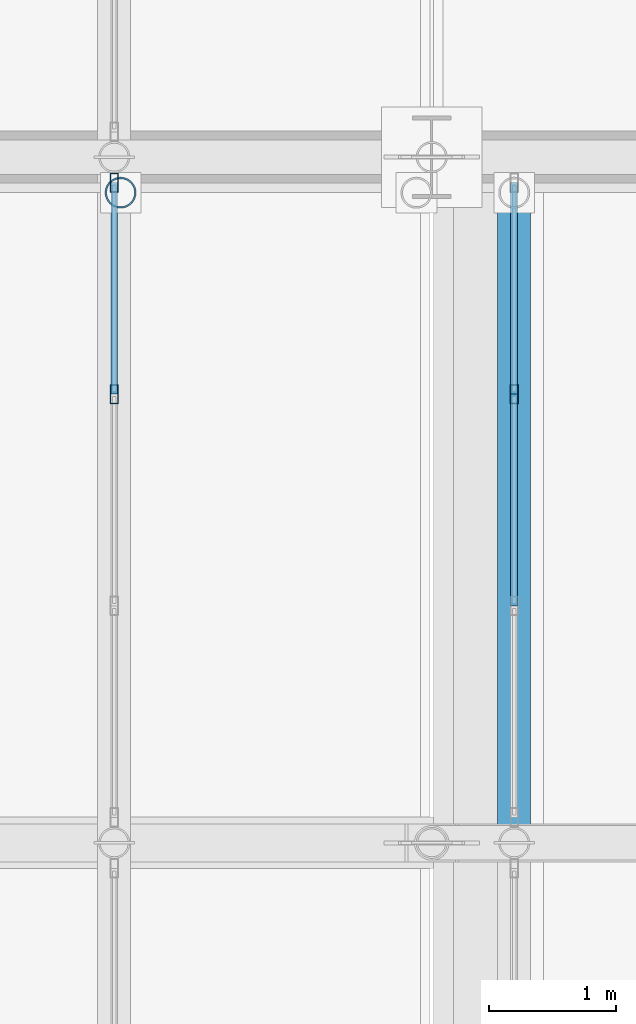
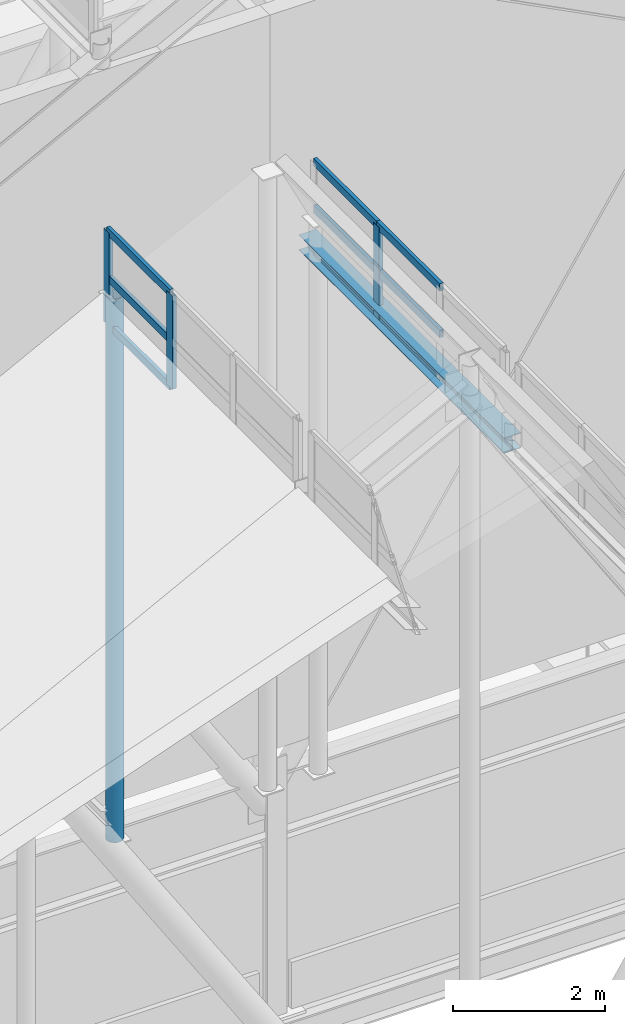
# One storey, part 26 of 84: 13 members, 1 beam, 2 elements without a shape of their own.
"""IFC4 building model written with IfcOpenShell, lengths in metres."""

from ifc_helpers import new_model, si_unit, direction, frame, origin, origin_2d, place, context, subcontext, project, spatial, hollow_rectangle, hollow_circle, i_section, extrude, material, layer, layer_set, material_profile, profile_set, type_object, element, aggregate, save


model = new_model("IFC4")

# Units and contexts
model_context = context("Model", 3, precision=1e-05, world=origin(), true_north=direction((0.0, 1.0)))
body_context = subcontext(model_context, "Body", "Model", "MODEL_VIEW")
ifc_project = project(units=[si_unit("LENGTHUNIT", "METRE"), si_unit("AREAUNIT", "SQUARE_METRE"), si_unit("VOLUMEUNIT", "CUBIC_METRE"), si_unit("PLANEANGLEUNIT", "RADIAN"), si_unit("MASSUNIT", "GRAM", prefix="KILO")], contexts=[model_context])

# Site, building, storey
site_placement = place(None, origin())
site = spatial("IfcSite", under=ifc_project, at=site_placement, CompositionType="ELEMENT")
building_placement = place(site_placement, origin())
building = spatial("IfcBuilding", under=site, at=building_placement, Name="Sundgate Opera House", CompositionType="ELEMENT")
storey_placement = place(building_placement, frame((0.0, 0.0, 30.60009765625)))
storey = spatial("IfcBuildingStorey", under=building, at=storey_placement, Name="L06", CompositionType="ELEMENT", Elevation=30.60009765625)

# Beam
ifc_material_1 = material(Name="Steel S355J2", Category="steel")
ifc_material_profile_1 = material_profile(ifc_material_1, i_section(OverallWidth=0.260009765625, OverallDepth=0.25, WebThickness=0.007568359375, FlangeThickness=0.012451171875, at=origin_2d()), Name="HEA 260")
ifc_profile_set_1 = profile_set([ifc_material_profile_1], Name="Steel S355J2")
beam_type = type_object("IfcBeamType", Name="BM-LN-HEA260", PredefinedType="LINTEL", material=ifc_profile_set_1)
beam_placement = place(storey_placement, frame((54.64990234375, 54.60009765625, 12.119873046875), z_axis=(0.0, 1.0, 0.0), x_axis=(-1.0, 0.0, 0.0)))
element("IfcBeam", 1, at=beam_placement, inside=storey, type_object=beam_type, Name="L06 Crown Clerestory Curb Beam BS031", PredefinedType="LINTEL", context=body_context, shape_type="SweptSolid", body=[
    extrude(i_section(OverallWidth=0.260009765625, OverallDepth=0.25, WebThickness=0.007568359375, FlangeThickness=0.012451171875, at=origin_2d()), origin(), (0.0, 0.0, 1.0), 5.39990234375),
])

# Curtain wall, members
ifc_material_2 = material(Name="Anodized aluminium and low-iron glass", Category="aluminium")
ifc_layer = layer(ifc_material_2, 0.169921875)
ifc_layer_set = layer_set([ifc_layer], Name="Anodized aluminium and low-iron glass")
curtain_wall_type = type_object("IfcCurtainWallType", Name="CW-LANTERN-POLY", PredefinedType="NOTDEFINED", material=ifc_layer_set)
curtain_wall_1_placement = place(storey_placement, origin())
curtain_wall_1 = element("IfcCurtainWall", 2, at=curtain_wall_1_placement, inside=storey, type_object=curtain_wall_type, Name="L06 Curtain Wall CW177", PredefinedType="NOTDEFINED")
ifc_material_3 = material(Name="Anodized aluminium EN AW-6063", Category="aluminium")
ifc_material_profile_2 = material_profile(ifc_material_3, hollow_rectangle(XDim=0.06005859375, YDim=0.14990234375, WallThickness=0.00390625, at=origin_2d()), Name="CWM 150x60x4")
ifc_profile_set_2 = profile_set([ifc_material_profile_2], Name="Anodized aluminium EN AW-6063")
member_type_1 = type_object("IfcMemberType", Name="CWM-ALU-150x60", PredefinedType="MULLION", material=ifc_profile_set_2)
member_1_placement = place(storey_placement, frame((51.5, 59.800048828125, 12.0), z_axis=(0.0, 0.0, 1.0), x_axis=(1.0, 0.0, 0.0)))
member_1 = element("IfcMember", 3, at=member_1_placement, type_object=member_type_1, Name="CW177 Mullion 1", PredefinedType="MULLION", context=body_context, shape_type="SweptSolid", body=[
    extrude(hollow_rectangle(XDim=0.06005859375, YDim=0.14990234375, WallThickness=0.00390625, at=origin_2d()), origin(), (0.0, 0.0, 1.0), 1.5),
])
member_2_placement = place(storey_placement, frame((51.5, 58.13330078125, 12.0), z_axis=(0.0, 0.0, 1.0), x_axis=(1.0, 0.0, 0.0)))
member_2 = element("IfcMember", 4, at=member_2_placement, type_object=member_type_1, Name="CW177 Mullion 2", PredefinedType="MULLION", context=body_context, shape_type="SweptSolid", body=[
    extrude(hollow_rectangle(XDim=0.06005859375, YDim=0.14990234375, WallThickness=0.00390625, at=origin_2d()), origin(), (0.0, 0.0, 1.0), 1.5),
])

# Curtain wall, member
curtain_wall_2_placement = place(storey_placement, origin())
curtain_wall_2 = element("IfcCurtainWall", 5, at=curtain_wall_2_placement, inside=storey, type_object=curtain_wall_type, Name="L06 Curtain Wall CW178", PredefinedType="NOTDEFINED")
member_3_placement = place(storey_placement, frame((54.64990234375, 58.13330078125, 12.0), z_axis=(0.0, 0.0, 1.0), x_axis=(1.0, 0.0, 0.0)))
member_3 = element("IfcMember", 6, at=member_3_placement, type_object=member_type_1, Name="CW178 Mullion 3", PredefinedType="MULLION", context=body_context, shape_type="SweptSolid", body=[
    extrude(hollow_rectangle(XDim=0.06005859375, YDim=0.14990234375, WallThickness=0.00390625, at=origin_2d()), origin(), (0.0, 0.0, 1.0), 1.5),
])

# Member
ifc_material_4 = material(Name="Anodized aluminium EN AW-6063", Category="aluminium")
ifc_material_profile_3 = material_profile(ifc_material_4, hollow_rectangle(XDim=0.054931640625, YDim=0.1201171875, WallThickness=0.00390625, at=origin_2d()), Name="CWT 120x55x4")
ifc_profile_set_3 = profile_set([ifc_material_profile_3], Name="Anodized aluminium EN AW-6063")
member_type_2 = type_object("IfcMemberType", Name="CWT-ALU-120x55", PredefinedType="USERDEFINED", material=ifc_profile_set_3)
member_4_placement = place(storey_placement, frame((51.5, 59.800048828125, 12.0), z_axis=(0.0, -1.0, 0.0), x_axis=(1.0, 0.0, 0.0)))
member_4 = element("IfcMember", 7, at=member_4_placement, type_object=member_type_2, Name="CW177 Transom 1", ObjectType="TRANSOM", PredefinedType="USERDEFINED", context=body_context, shape_type="SweptSolid", body=[
    extrude(hollow_rectangle(XDim=0.054931640625, YDim=0.1201171875, WallThickness=0.00390625, at=origin_2d()), origin(), (0.0, 0.0, 1.0), 1.666748046875),
])

member_5_placement = place(storey_placement, frame((51.5, 59.800048828125, 12.75), z_axis=(0.0, -1.0, 0.0), x_axis=(1.0, 0.0, 0.0)))
member_5 = element("IfcMember", 8, at=member_5_placement, type_object=member_type_2, Name="CW177 Transom 2", ObjectType="TRANSOM", PredefinedType="USERDEFINED", context=body_context, shape_type="SweptSolid", body=[
    extrude(hollow_rectangle(XDim=0.054931640625, YDim=0.1201171875, WallThickness=0.00390625, at=origin_2d()), origin(), (0.0, 0.0, 1.0), 1.666748046875),
])

member_6_placement = place(storey_placement, frame((51.5, 59.800048828125, 13.5), z_axis=(0.0, -1.0, 0.0), x_axis=(1.0, 0.0, 0.0)))
member_6 = element("IfcMember", 9, at=member_6_placement, type_object=member_type_2, Name="CW177 Transom 3", ObjectType="TRANSOM", PredefinedType="USERDEFINED", context=body_context, shape_type="SweptSolid", body=[
    extrude(hollow_rectangle(XDim=0.054931640625, YDim=0.1201171875, WallThickness=0.00390625, at=origin_2d()), origin(), (0.0, 0.0, 1.0), 1.666748046875),
])

aggregate(curtain_wall_1, [member_1, member_2, member_4, member_5, member_6])

member_7_placement = place(storey_placement, frame((54.64990234375, 56.466552734375, 12.0), z_axis=(0.0, 1.0, 0.0), x_axis=(-1.0, 0.0, 0.0)))
member_7 = element("IfcMember", 10, at=member_7_placement, type_object=member_type_2, Name="CW178 Transom 4", ObjectType="TRANSOM", PredefinedType="USERDEFINED", context=body_context, shape_type="SweptSolid", body=[
    extrude(hollow_rectangle(XDim=0.054931640625, YDim=0.1201171875, WallThickness=0.00390625, at=origin_2d()), origin(), (0.0, 0.0, 1.0), 1.666748046875),
])

member_8_placement = place(storey_placement, frame((54.64990234375, 56.466552734375, 12.75), z_axis=(0.0, 1.0, 0.0), x_axis=(-1.0, 0.0, 0.0)))
member_8 = element("IfcMember", 11, at=member_8_placement, type_object=member_type_2, Name="CW178 Transom 5", ObjectType="TRANSOM", PredefinedType="USERDEFINED", context=body_context, shape_type="SweptSolid", body=[
    extrude(hollow_rectangle(XDim=0.054931640625, YDim=0.1201171875, WallThickness=0.00390625, at=origin_2d()), origin(), (0.0, 0.0, 1.0), 1.666748046875),
])

member_9_placement = place(storey_placement, frame((54.64990234375, 56.466552734375, 13.5), z_axis=(0.0, 1.0, 0.0), x_axis=(-1.0, 0.0, 0.0)))
member_9 = element("IfcMember", 12, at=member_9_placement, type_object=member_type_2, Name="CW178 Transom 6", ObjectType="TRANSOM", PredefinedType="USERDEFINED", context=body_context, shape_type="SweptSolid", body=[
    extrude(hollow_rectangle(XDim=0.054931640625, YDim=0.1201171875, WallThickness=0.00390625, at=origin_2d()), origin(), (0.0, 0.0, 1.0), 1.666748046875),
])

member_10_placement = place(storey_placement, frame((54.64990234375, 58.13330078125, 12.0), z_axis=(0.0, 1.0, 0.0), x_axis=(-1.0, 0.0, 0.0)))
member_10 = element("IfcMember", 13, at=member_10_placement, type_object=member_type_2, Name="CW178 Transom 7", ObjectType="TRANSOM", PredefinedType="USERDEFINED", context=body_context, shape_type="SweptSolid", body=[
    extrude(hollow_rectangle(XDim=0.054931640625, YDim=0.1201171875, WallThickness=0.00390625, at=origin_2d()), origin(), (0.0, 0.0, 1.0), 1.666748046875),
])

member_11_placement = place(storey_placement, frame((54.64990234375, 58.13330078125, 12.75), z_axis=(0.0, 1.0, 0.0), x_axis=(-1.0, 0.0, 0.0)))
member_11 = element("IfcMember", 14, at=member_11_placement, type_object=member_type_2, Name="CW178 Transom 8", ObjectType="TRANSOM", PredefinedType="USERDEFINED", context=body_context, shape_type="SweptSolid", body=[
    extrude(hollow_rectangle(XDim=0.054931640625, YDim=0.1201171875, WallThickness=0.00390625, at=origin_2d()), origin(), (0.0, 0.0, 1.0), 1.666748046875),
])

member_12_placement = place(storey_placement, frame((54.64990234375, 58.13330078125, 13.5), z_axis=(0.0, 1.0, 0.0), x_axis=(-1.0, 0.0, 0.0)))
member_12 = element("IfcMember", 15, at=member_12_placement, type_object=member_type_2, Name="CW178 Transom 9", ObjectType="TRANSOM", PredefinedType="USERDEFINED", context=body_context, shape_type="SweptSolid", body=[
    extrude(hollow_rectangle(XDim=0.054931640625, YDim=0.1201171875, WallThickness=0.00390625, at=origin_2d()), origin(), (0.0, 0.0, 1.0), 1.666748046875),
])

aggregate(curtain_wall_2, [member_3, member_7, member_8, member_9, member_10, member_11, member_12])

ifc_material_5 = material(Name="Steel S355J2", Category="steel")
ifc_material_profile_4 = material_profile(ifc_material_5, hollow_circle(Radius=0.122314453125, WallThickness=0.012451171875, at=origin_2d()), Name="CHS 244.5x12.5")
ifc_profile_set_4 = profile_set([ifc_material_profile_4], Name="Steel S355J2")
member_type_3 = type_object("IfcMemberType", Name="MB-STRUT-CHS244", PredefinedType="STRUT", material=ifc_profile_set_4)
member_13_placement = place(storey_placement, frame((51.550048828125, 59.719970703125, 3.75), z_axis=(0.0, 0.0, 1.0), x_axis=(1.0, 0.0, 0.0)))
element("IfcMember", 16, at=member_13_placement, inside=storey, type_object=member_type_3, Name="L06 Step Lantern Support Post MS050", PredefinedType="STRUT", context=body_context, shape_type="SweptSolid", body=[
    extrude(hollow_circle(Radius=0.122314453125, WallThickness=0.012451171875, at=origin_2d()), origin(), (0.0, 0.0, 1.0), 8.75),
])

save(model, "model.ifc")
